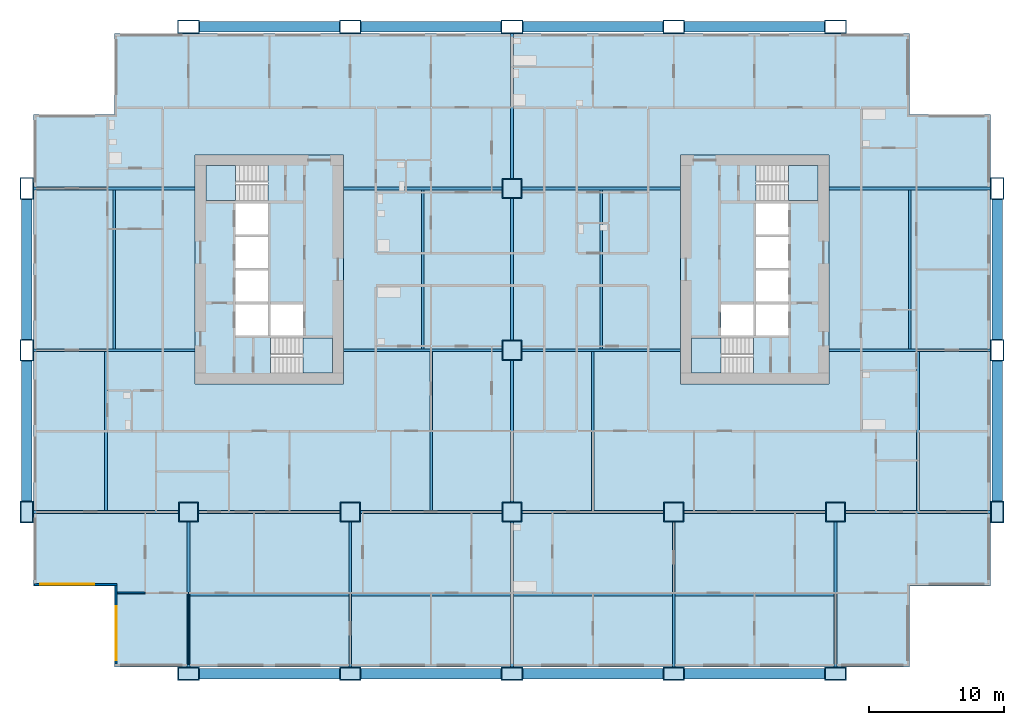
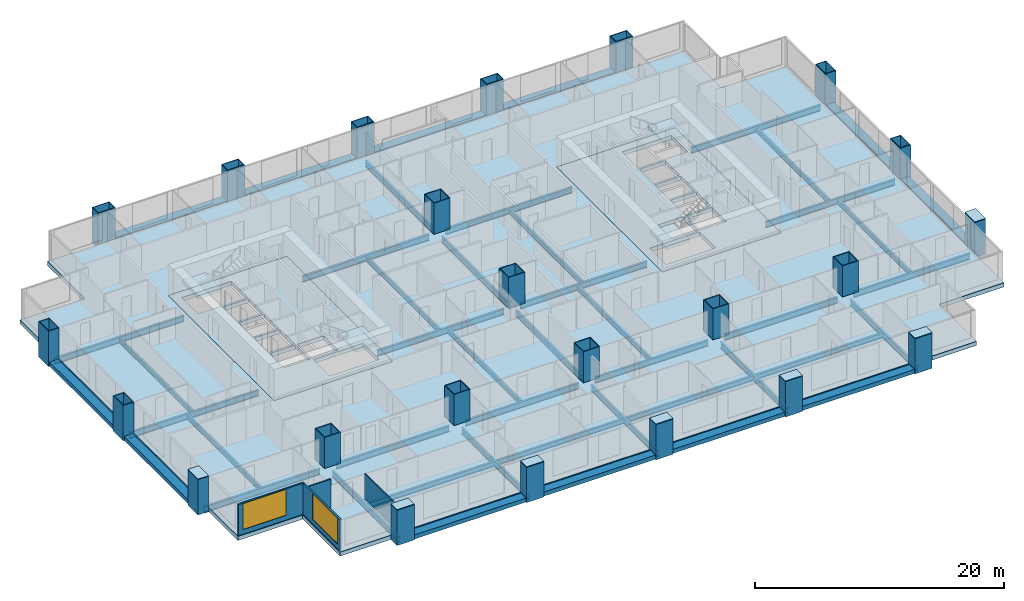
# One storey, part 1 of 13: 46 beams, 23 columns, 7 plates, 7 slabs, 4 walls, 2 windows, 2 openings, 4 elements without a shape of their own.
"""IFC4 building model written with IfcOpenShell, lengths in metres."""

from ifc_helpers import new_model, si_unit, direction, frame, frame_2d, origin, origin_2d, place, context, subcontext, project, spatial, polyline, rectangle, hollow_rectangle, i_section, outline, extrude, material, layer, layer_set, material_profile, profile_set, type_object, element, fill, aggregate, save


model = new_model("IFC4")

# Units and contexts
model_context = context("Model", 3, precision=1e-05, world=origin(), true_north=direction((0.0, 1.0)))
body_context = subcontext(model_context, "Body", "Model", "MODEL_VIEW")
ifc_project = project(units=[si_unit("LENGTHUNIT", "METRE"), si_unit("AREAUNIT", "SQUARE_METRE"), si_unit("VOLUMEUNIT", "CUBIC_METRE"), si_unit("PLANEANGLEUNIT", "RADIAN"), si_unit("MASSUNIT", "GRAM", prefix="KILO")], contexts=[model_context])

# Site, building, storey
site_placement = place(None, origin())
site = spatial("IfcSite", under=ifc_project, at=site_placement, CompositionType="ELEMENT")
building_placement = place(site_placement, origin())
building = spatial("IfcBuilding", under=site, at=building_placement, Name="Kitamizu Gate Tower and Museum", CompositionType="ELEMENT")
storey_placement = place(building_placement, frame((0.0, 0.0, 88.64990234375)))
storey = spatial("IfcBuildingStorey", under=building, at=storey_placement, Name="L22", CompositionType="ELEMENT", Elevation=88.64990234375)

# Columns
ifc_material_1 = material(Name="Steel SM490A bronze coated", Category="steel")
ifc_material_profile_1 = material_profile(ifc_material_1, hollow_rectangle(XDim=1.60009765625, YDim=1.0, WallThickness=0.06494140625, at=origin_2d()), Name="BOX 1600x1000x65")
ifc_profile_set_1 = profile_set([ifc_material_profile_1], Name="Steel SM490A bronze coated")
column_type_1 = type_object("IfcColumnType", Name="Exoskeleton column XC3 BOX 1600x1000x65", PredefinedType="COLUMN", material=ifc_profile_set_1)
for number, where, z_axis, x_axis, name in (
    (1, (0.0, 12.0, -0.39990234375), (0.0, 0.0, 1.0), (0.0, 1.0, 0.0), "Column XC3 1B L22"),
    (2, (0.0, 24.0, -0.39990234375), (0.0, 0.0, 1.0), (0.0, 1.0, 0.0), "Column XC3 1C L22"),
    (3, (0.0, 36.0, -0.39990234375), (0.0, 0.0, 1.0), (0.0, 1.0, 0.0), "Column XC3 1D L22"),
    (4, (12.0, 0.0, -0.39990234375), (0.0, 0.0, 1.0), (1.0, 0.0, 0.0), "Column XC3 2A L22"),
    (5, (12.0, 48.0, -0.39990234375), (0.0, 0.0, 1.0), (1.0, 0.0, 0.0), "Column XC3 2E L22"),
    (6, (24.0, 0.0, -0.39990234375), (0.0, 0.0, 1.0), (1.0, 0.0, 0.0), "Column XC3 3A L22"),
    (7, (24.0, 48.0, -0.39990234375), (0.0, 0.0, 1.0), (1.0, 0.0, 0.0), "Column XC3 3E L22"),
    (8, (36.0, 0.0, -0.39990234375), (0.0, 0.0, 1.0), (1.0, 0.0, 0.0), "Column XC3 4A L22"),
    (9, (36.0, 48.0, -0.39990234375), (0.0, 0.0, 1.0), (1.0, 0.0, 0.0), "Column XC3 4E L22"),
    (10, (48.0, 0.0, -0.39990234375), (0.0, 0.0, 1.0), (1.0, 0.0, 0.0), "Column XC3 5A L22"),
    (11, (48.0, 48.0, -0.39990234375), (0.0, 0.0, 1.0), (1.0, 0.0, 0.0), "Column XC3 5E L22"),
    (12, (60.0, 0.0, -0.39990234375), (0.0, 0.0, 1.0), (1.0, 0.0, 0.0), "Column XC3 6A L22"),
    (13, (60.0, 48.0, -0.39990234375), (0.0, 0.0, 1.0), (1.0, 0.0, 0.0), "Column XC3 6E L22"),
    (14, (72.0, 12.0, -0.39990234375), (0.0, 0.0, 1.0), (0.0, 1.0, 0.0), "Column XC3 7B L22"),
    (15, (72.0, 24.0, -0.39990234375), (0.0, 0.0, 1.0), (0.0, 1.0, 0.0), "Column XC3 7C L22"),
    (16, (72.0, 36.0, -0.39990234375), (0.0, 0.0, 1.0), (0.0, 1.0, 0.0), "Column XC3 7D L22"),
):
    element("IfcColumn", number, at=place(storey_placement, frame(where, z_axis=z_axis, x_axis=x_axis)), inside=storey, type_object=column_type_1, Name=name, PredefinedType="COLUMN", context=body_context, shape_type="SweptSolid", body=[
        extrude(hollow_rectangle(XDim=1.60009765625, YDim=1.0, WallThickness=0.06494140625, at=origin_2d()), origin(), (0.0, 0.0, 1.0), 3.449951171875),
    ])
ifc_material_2 = material(Name="Steel SM490A", Category="steel")
ifc_material_profile_2 = material_profile(ifc_material_2, hollow_rectangle(XDim=1.5, YDim=1.5, WallThickness=0.06494140625, at=origin_2d()), Name="BOX 1500x1500x65")
ifc_profile_set_2 = profile_set([ifc_material_profile_2], Name="Steel SM490A")
column_type_2 = type_object("IfcColumnType", Name="Interior column IC2 BOX 1500x1500x65", PredefinedType="COLUMN", material=ifc_profile_set_2)
for number, where, z_axis, x_axis, name in (
    (17, (12.0, 12.0, 0.0), (0.0, 0.0, 1.0), (1.0, 0.0, 0.0), "Column IC2 2B L22"),
    (18, (24.0, 12.0, 0.0), (0.0, 0.0, 1.0), (1.0, 0.0, 0.0), "Column IC2 3B L22"),
    (19, (36.0, 12.0, 0.0), (0.0, 0.0, 1.0), (1.0, 0.0, 0.0), "Column IC2 4B L22"),
    (20, (36.0, 24.0, 0.0), (0.0, 0.0, 1.0), (1.0, 0.0, 0.0), "Column IC2 4C L22"),
    (21, (36.0, 36.0, 0.0), (0.0, 0.0, 1.0), (1.0, 0.0, 0.0), "Column IC2 4D L22"),
    (22, (48.0, 12.0, 0.0), (0.0, 0.0, 1.0), (1.0, 0.0, 0.0), "Column IC2 5B L22"),
    (23, (60.0, 12.0, 0.0), (0.0, 0.0, 1.0), (1.0, 0.0, 0.0), "Column IC2 6B L22"),
):
    element("IfcColumn", number, at=place(storey_placement, frame(where, z_axis=z_axis, x_axis=x_axis)), inside=storey, type_object=column_type_2, Name=name, PredefinedType="COLUMN", context=body_context, shape_type="SweptSolid", body=[
        extrude(hollow_rectangle(XDim=1.5, YDim=1.5, WallThickness=0.06494140625, at=origin_2d()), origin(), (0.0, 0.0, 1.0), 3.050048828125),
    ])

# Beams
ifc_material_3 = material(Name="Steel SM490A bronze coated", Category="steel")
ifc_material_profile_3 = material_profile(ifc_material_3, hollow_rectangle(XDim=0.800048828125, YDim=0.39990234375, WallThickness=0.0400390625, at=origin_2d()), Name="BOX 800x400x40")
ifc_profile_set_3 = profile_set([ifc_material_profile_3], Name="Steel SM490A bronze coated")
beam_type_1 = type_object("IfcBeamType", Name="Exoskeleton spandrel beam SB1 BOX 800x400x40", PredefinedType="SPANDREL", material=ifc_profile_set_3)
for number, where, z_axis, x_axis, name in (
    (24, (12.800048828125, 0.0, -0.199951171875), (1.0, 0.0, 0.0), (0.0, 1.0, 0.0), "Exoskeleton spandrel beam south 12 L22"),
    (25, (24.800048828125, 0.0, -0.199951171875), (1.0, 0.0, 0.0), (0.0, 1.0, 0.0), "Exoskeleton spandrel beam south 24 L22"),
    (26, (36.800048828125, 0.0, -0.199951171875), (1.0, 0.0, 0.0), (0.0, 1.0, 0.0), "Exoskeleton spandrel beam south 36 L22"),
    (27, (48.800048828125, 0.0, -0.199951171875), (1.0, 0.0, 0.0), (0.0, 1.0, 0.0), "Exoskeleton spandrel beam south 48 L22"),
    (28, (12.800048828125, 48.0, -0.199951171875), (1.0, 0.0, 0.0), (0.0, 1.0, 0.0), "Exoskeleton spandrel beam north 12 L22"),
    (29, (24.800048828125, 48.0, -0.199951171875), (1.0, 0.0, 0.0), (0.0, 1.0, 0.0), "Exoskeleton spandrel beam north 24 L22"),
    (30, (36.800048828125, 48.0, -0.199951171875), (1.0, 0.0, 0.0), (0.0, 1.0, 0.0), "Exoskeleton spandrel beam north 36 L22"),
    (31, (48.800048828125, 48.0, -0.199951171875), (1.0, 0.0, 0.0), (0.0, 1.0, 0.0), "Exoskeleton spandrel beam north 48 L22"),
    (32, (0.0, 12.800048828125, -0.199951171875), (0.0, 1.0, 0.0), (-1.0, 0.0, 0.0), "Exoskeleton spandrel beam west 12 L22"),
    (33, (0.0, 24.800048828125, -0.199951171875), (0.0, 1.0, 0.0), (-1.0, 0.0, 0.0), "Exoskeleton spandrel beam west 24 L22"),
    (34, (72.0, 12.800048828125, -0.199951171875), (0.0, 1.0, 0.0), (-1.0, 0.0, 0.0), "Exoskeleton spandrel beam east 12 L22"),
    (35, (72.0, 24.800048828125, -0.199951171875), (0.0, 1.0, 0.0), (-1.0, 0.0, 0.0), "Exoskeleton spandrel beam east 24 L22"),
):
    element("IfcBeam", number, at=place(storey_placement, frame(where, z_axis=z_axis, x_axis=x_axis)), inside=storey, type_object=beam_type_1, Name=name, PredefinedType="SPANDREL", context=body_context, shape_type="SweptSolid", body=[
        extrude(hollow_rectangle(XDim=0.800048828125, YDim=0.39990234375, WallThickness=0.0400390625, at=origin_2d()), origin(), (0.0, 0.0, 1.0), 10.39990234375),
    ])
ifc_material_4 = material(Name="Steel SM490A", Category="steel")
ifc_material_profile_4 = material_profile(ifc_material_4, i_section(OverallWidth=0.199951171875, OverallDepth=0.5, WebThickness=0.010009765625, FlangeThickness=0.01611328125, FilletRadius=0.02001953125, at=origin_2d()), Name="H-500x200x10x16")
ifc_profile_set_4 = profile_set([ifc_material_profile_4], Name="Steel SM490A")
beam_type_2 = type_object("IfcBeamType", Name="Floor beam FB1 H 500x200x10x16", PredefinedType="BEAM", material=ifc_profile_set_4)
for number, where, z_axis, x_axis, name in (
    (36, (12.10009765625, 5.875, -0.64990234375), (1.0, 0.0, 0.0), (0.0, 1.0, 0.0), "Floor beam FB1 L22-1"),
    (37, (24.10009765625, 5.875, -0.64990234375), (1.0, 0.0, 0.0), (0.0, 1.0, 0.0), "Floor beam FB1 L22-2"),
    (38, (36.10009765625, 5.875, -0.64990234375), (1.0, 0.0, 0.0), (0.0, 1.0, 0.0), "Floor beam FB1 L22-3"),
    (39, (48.10009765625, 5.875, -0.64990234375), (1.0, 0.0, 0.0), (0.0, 1.0, 0.0), "Floor beam FB1 L22-4"),
    (40, (5.875, 12.10009765625, -0.64990234375), (0.0, 1.0, 0.0), (-1.0, 0.0, 0.0), "Floor beam FB1 L22-5"),
    (41, (30.0, 12.10009765625, -0.64990234375), (0.0, 1.0, 0.0), (-1.0, 0.0, 0.0), "Floor beam FB1 L22-6"),
    (42, (42.0, 12.10009765625, -0.64990234375), (0.0, 1.0, 0.0), (-1.0, 0.0, 0.0), "Floor beam FB1 L22-7"),
    (43, (66.125, 12.10009765625, -0.64990234375), (0.0, 1.0, 0.0), (-1.0, 0.0, 0.0), "Floor beam FB1 L22-8"),
    (44, (6.5, 24.10009765625, -0.64990234375), (0.0, 1.0, 0.0), (-1.0, 0.0, 0.0), "Floor beam FB1 L22-9"),
    (45, (29.375, 24.10009765625, -0.64990234375), (0.0, 1.0, 0.0), (-1.0, 0.0, 0.0), "Floor beam FB1 L22-10"),
    (46, (42.625, 24.10009765625, -0.64990234375), (0.0, 1.0, 0.0), (-1.0, 0.0, 0.0), "Floor beam FB1 L22-11"),
    (47, (65.5, 24.10009765625, -0.64990234375), (0.0, 1.0, 0.0), (-1.0, 0.0, 0.0), "Floor beam FB1 L22-12"),
):
    element("IfcBeam", number, at=place(storey_placement, frame(where, z_axis=z_axis, x_axis=x_axis)), inside=storey, type_object=beam_type_2, Name=name, PredefinedType="BEAM", context=body_context, shape_type="SweptSolid", body=[
        extrude(i_section(OverallWidth=0.199951171875, OverallDepth=0.5, WebThickness=0.010009765625, FlangeThickness=0.01611328125, FilletRadius=0.02001953125, at=origin_2d()), origin(), (0.0, 0.0, 1.0), 11.7998046875),
    ])
ifc_material_5 = material(Name="Steel SM490A", Category="steel")
ifc_material_profile_5 = material_profile(ifc_material_5, i_section(OverallWidth=0.199951171875, OverallDepth=0.60009765625, WebThickness=0.010986328125, FlangeThickness=0.01708984375, FilletRadius=0.02197265625, at=origin_2d()), Name="H-600x200x11x17")
ifc_profile_set_5 = profile_set([ifc_material_profile_5], Name="Steel SM490A")
beam_type_3 = type_object("IfcBeamType", Name="Floor girder FG1 H 600x200x11x17", PredefinedType="BEAM", material=ifc_profile_set_5)
for number, where, z_axis, x_axis, name in (
    (48, (12.0, 0.5, -0.699951171875), (0.0, 1.0, 0.0), (-1.0, 0.0, 0.0), "Floor girder FG1 x12 L22"),
    (49, (24.0, 0.5, -0.699951171875), (0.0, 1.0, 0.0), (-1.0, 0.0, 0.0), "Floor girder FG1 x24 L22"),
    (50, (36.0, 0.5, -0.699951171875), (0.0, 1.0, 0.0), (-1.0, 0.0, 0.0), "Floor girder FG1 x36 L22"),
):
    element("IfcBeam", number, at=place(storey_placement, frame(where, z_axis=z_axis, x_axis=x_axis)), inside=storey, type_object=beam_type_3, Name=name, PredefinedType="BEAM", context=body_context, shape_type="SweptSolid", body=[
        extrude(i_section(OverallWidth=0.199951171875, OverallDepth=0.60009765625, WebThickness=0.010986328125, FlangeThickness=0.01708984375, FilletRadius=0.02197265625, at=origin_2d()), origin(), (0.0, 0.0, 1.0), 10.75),
    ])
for number, where, z_axis, x_axis, name in (
    (51, (36.0, 12.75, -0.699951171875), (0.0, 1.0, 0.0), (-1.0, 0.0, 0.0), "Floor girder FG1 x36 L22"),
    (52, (36.0, 24.75, -0.699951171875), (0.0, 1.0, 0.0), (-1.0, 0.0, 0.0), "Floor girder FG1 x36 L22"),
):
    element("IfcBeam", number, at=place(storey_placement, frame(where, z_axis=z_axis, x_axis=x_axis)), inside=storey, type_object=beam_type_3, Name=name, PredefinedType="BEAM", context=body_context, shape_type="SweptSolid", body=[
        extrude(i_section(OverallWidth=0.199951171875, OverallDepth=0.60009765625, WebThickness=0.010986328125, FlangeThickness=0.01708984375, FilletRadius=0.02197265625, at=origin_2d()), origin(), (0.0, 0.0, 1.0), 10.5),
    ])
for number, where, z_axis, x_axis, name in (
    (53, (36.0, 36.75, -0.699951171875), (0.0, 1.0, 0.0), (-1.0, 0.0, 0.0), "Floor girder FG1 x36 L22"),
    (54, (48.0, 0.5, -0.699951171875), (0.0, 1.0, 0.0), (-1.0, 0.0, 0.0), "Floor girder FG1 x48 L22"),
    (55, (60.0, 0.5, -0.699951171875), (0.0, 1.0, 0.0), (-1.0, 0.0, 0.0), "Floor girder FG1 x60 L22"),
    (56, (0.5, 12.0, -0.699951171875), (1.0, 0.0, 0.0), (0.0, 1.0, 0.0), "Floor girder FG1 y12 L22"),
):
    element("IfcBeam", number, at=place(storey_placement, frame(where, z_axis=z_axis, x_axis=x_axis)), inside=storey, type_object=beam_type_3, Name=name, PredefinedType="BEAM", context=body_context, shape_type="SweptSolid", body=[
        extrude(i_section(OverallWidth=0.199951171875, OverallDepth=0.60009765625, WebThickness=0.010986328125, FlangeThickness=0.01708984375, FilletRadius=0.02197265625, at=origin_2d()), origin(), (0.0, 0.0, 1.0), 10.75),
    ])
for number, where, z_axis, x_axis, name in (
    (57, (12.75, 12.0, -0.699951171875), (1.0, 0.0, 0.0), (0.0, 1.0, 0.0), "Floor girder FG1 y12 L22"),
    (58, (24.75, 12.0, -0.699951171875), (1.0, 0.0, 0.0), (0.0, 1.0, 0.0), "Floor girder FG1 y12 L22"),
    (59, (36.75, 12.0, -0.699951171875), (1.0, 0.0, 0.0), (0.0, 1.0, 0.0), "Floor girder FG1 y12 L22"),
    (60, (48.75, 12.0, -0.699951171875), (1.0, 0.0, 0.0), (0.0, 1.0, 0.0), "Floor girder FG1 y12 L22"),
):
    element("IfcBeam", number, at=place(storey_placement, frame(where, z_axis=z_axis, x_axis=x_axis)), inside=storey, type_object=beam_type_3, Name=name, PredefinedType="BEAM", context=body_context, shape_type="SweptSolid", body=[
        extrude(i_section(OverallWidth=0.199951171875, OverallDepth=0.60009765625, WebThickness=0.010986328125, FlangeThickness=0.01708984375, FilletRadius=0.02197265625, at=origin_2d()), origin(), (0.0, 0.0, 1.0), 10.5),
    ])
beam_1_placement = place(storey_placement, frame((60.75, 12.0, -0.699951171875), z_axis=(1.0, 0.0, 0.0), x_axis=(0.0, 1.0, 0.0)))
element("IfcBeam", 61, at=beam_1_placement, inside=storey, type_object=beam_type_3, Name="Floor girder FG1 y12 L22", PredefinedType="BEAM", context=body_context, shape_type="SweptSolid", body=[
    extrude(i_section(OverallWidth=0.199951171875, OverallDepth=0.60009765625, WebThickness=0.010986328125, FlangeThickness=0.01708984375, FilletRadius=0.02197265625, at=origin_2d()), origin(), (0.0, 0.0, 1.0), 10.75),
])
beam_2_placement = place(storey_placement, frame((0.5, 24.0, -0.699951171875), z_axis=(1.0, 0.0, 0.0), x_axis=(0.0, 1.0, 0.0)))
element("IfcBeam", 62, at=beam_2_placement, inside=storey, type_object=beam_type_3, Name="Floor girder FG1 y24 L22", PredefinedType="BEAM", context=body_context, shape_type="SweptSolid", body=[
    extrude(i_section(OverallWidth=0.199951171875, OverallDepth=0.60009765625, WebThickness=0.010986328125, FlangeThickness=0.01708984375, FilletRadius=0.02197265625, at=origin_2d()), origin(), (0.0, 0.0, 1.0), 12.0),
])
for number, where, z_axis, x_axis, name in (
    (63, (23.5, 24.0, -0.699951171875), (1.0, 0.0, 0.0), (0.0, 1.0, 0.0), "Floor girder FG1 y24 L22"),
    (64, (36.75, 24.0, -0.699951171875), (1.0, 0.0, 0.0), (0.0, 1.0, 0.0), "Floor girder FG1 y24 L22"),
):
    element("IfcBeam", number, at=place(storey_placement, frame(where, z_axis=z_axis, x_axis=x_axis)), inside=storey, type_object=beam_type_3, Name=name, PredefinedType="BEAM", context=body_context, shape_type="SweptSolid", body=[
        extrude(i_section(OverallWidth=0.199951171875, OverallDepth=0.60009765625, WebThickness=0.010986328125, FlangeThickness=0.01708984375, FilletRadius=0.02197265625, at=origin_2d()), origin(), (0.0, 0.0, 1.0), 11.75),
    ])
for number, where, z_axis, x_axis, name in (
    (65, (59.5, 24.0, -0.699951171875), (1.0, 0.0, 0.0), (0.0, 1.0, 0.0), "Floor girder FG1 y24 L22"),
    (66, (0.5, 36.0, -0.699951171875), (1.0, 0.0, 0.0), (0.0, 1.0, 0.0), "Floor girder FG1 y36 L22"),
):
    element("IfcBeam", number, at=place(storey_placement, frame(where, z_axis=z_axis, x_axis=x_axis)), inside=storey, type_object=beam_type_3, Name=name, PredefinedType="BEAM", context=body_context, shape_type="SweptSolid", body=[
        extrude(i_section(OverallWidth=0.199951171875, OverallDepth=0.60009765625, WebThickness=0.010986328125, FlangeThickness=0.01708984375, FilletRadius=0.02197265625, at=origin_2d()), origin(), (0.0, 0.0, 1.0), 12.0),
    ])
for number, where, z_axis, x_axis, name in (
    (67, (23.5, 36.0, -0.699951171875), (1.0, 0.0, 0.0), (0.0, 1.0, 0.0), "Floor girder FG1 y36 L22"),
    (68, (36.75, 36.0, -0.699951171875), (1.0, 0.0, 0.0), (0.0, 1.0, 0.0), "Floor girder FG1 y36 L22"),
):
    element("IfcBeam", number, at=place(storey_placement, frame(where, z_axis=z_axis, x_axis=x_axis)), inside=storey, type_object=beam_type_3, Name=name, PredefinedType="BEAM", context=body_context, shape_type="SweptSolid", body=[
        extrude(i_section(OverallWidth=0.199951171875, OverallDepth=0.60009765625, WebThickness=0.010986328125, FlangeThickness=0.01708984375, FilletRadius=0.02197265625, at=origin_2d()), origin(), (0.0, 0.0, 1.0), 11.75),
    ])
beam_3_placement = place(storey_placement, frame((59.5, 36.0, -0.699951171875), z_axis=(1.0, 0.0, 0.0), x_axis=(0.0, 1.0, 0.0)))
element("IfcBeam", 69, at=beam_3_placement, inside=storey, type_object=beam_type_3, Name="Floor girder FG1 y36 L22", PredefinedType="BEAM", context=body_context, shape_type="SweptSolid", body=[
    extrude(i_section(OverallWidth=0.199951171875, OverallDepth=0.60009765625, WebThickness=0.010986328125, FlangeThickness=0.01708984375, FilletRadius=0.02197265625, at=origin_2d()), origin(), (0.0, 0.0, 1.0), 12.0),
])

# Slabs
ifc_material_6 = material(Name="Concrete Fc36", Category="concrete")
ifc_layer_1 = layer(ifc_material_6, 0.39990234375)
ifc_layer_set_1 = layer_set([ifc_layer_1], Name="Concrete Fc36")
slab_type_1 = type_object("IfcSlabType", Name="Core floor slab 400", PredefinedType="FLOOR", material=ifc_layer_set_1)
slab_1_placement = place(storey_placement, frame((0.0, 0.0, -0.39990234375)))
element("IfcSlab", 70, at=slab_1_placement, inside=storey, type_object=slab_type_1, Name="Core floor slab W", PredefinedType="FLOOR", context=body_context, shape_type="SweptSolid", body=[
    extrude(outline(polyline([(12.5, 21.5), (23.5, 21.5), (23.5, 38.5), (12.5, 38.5), (12.5, 21.5)]), holes=[polyline([(15.5, 25.10009765625), (17.89990234375, 25.10009765625), (17.89990234375, 27.39990234375), (15.5, 27.39990234375), (15.5, 25.10009765625)]), polyline([(15.5, 27.60009765625), (17.89990234375, 27.60009765625), (17.89990234375, 29.89990234375), (15.5, 29.89990234375), (15.5, 27.60009765625)]), polyline([(15.5, 30.10009765625), (17.89990234375, 30.10009765625), (17.89990234375, 32.39990234375), (15.5, 32.39990234375), (15.5, 30.10009765625)]), polyline([(15.5, 32.60009765625), (17.89990234375, 32.60009765625), (17.89990234375, 34.89990234375), (15.5, 34.89990234375), (15.5, 32.60009765625)]), polyline([(18.10009765625, 25.10009765625), (20.5, 25.10009765625), (20.5, 27.39990234375), (18.10009765625, 27.39990234375), (18.10009765625, 25.10009765625)]), polyline([(18.1005859375, 22.300048828125), (22.699951171875, 22.300048828125), (22.699951171875, 24.89990234375), (18.1005859375, 24.89990234375), (18.1005859375, 22.300048828125)]), polyline([(13.300048828125, 35.10009765625), (17.8994140625, 35.10009765625), (17.8994140625, 37.699951171875), (13.300048828125, 37.699951171875), (13.300048828125, 35.10009765625)])]), origin(), (0.0, 0.0, 1.0), 0.39990234375),
])
slab_2_placement = place(storey_placement, frame((0.0, 0.0, -0.39990234375)))
element("IfcSlab", 71, at=slab_2_placement, inside=storey, type_object=slab_type_1, Name="Core floor slab E", PredefinedType="FLOOR", context=body_context, shape_type="SweptSolid", body=[
    extrude(outline(polyline([(48.5, 21.5), (59.5, 21.5), (59.5, 38.5), (48.5, 38.5), (48.5, 21.5)]), holes=[polyline([(54.10009765625, 25.10009765625), (56.5, 25.10009765625), (56.5, 27.39990234375), (54.10009765625, 27.39990234375), (54.10009765625, 25.10009765625)]), polyline([(54.10009765625, 27.60009765625), (56.5, 27.60009765625), (56.5, 29.89990234375), (54.10009765625, 29.89990234375), (54.10009765625, 27.60009765625)]), polyline([(54.10009765625, 30.10009765625), (56.5, 30.10009765625), (56.5, 32.39990234375), (54.10009765625, 32.39990234375), (54.10009765625, 30.10009765625)]), polyline([(54.10009765625, 32.60009765625), (56.5, 32.60009765625), (56.5, 34.89990234375), (54.10009765625, 34.89990234375), (54.10009765625, 32.60009765625)]), polyline([(51.5, 25.10009765625), (53.89990234375, 25.10009765625), (53.89990234375, 27.39990234375), (51.5, 27.39990234375), (51.5, 25.10009765625)]), polyline([(49.300048828125, 22.300048828125), (53.8994140625, 22.300048828125), (53.8994140625, 24.89990234375), (49.300048828125, 24.89990234375), (49.300048828125, 22.300048828125)]), polyline([(54.1005859375, 35.10009765625), (58.699951171875, 35.10009765625), (58.699951171875, 37.699951171875), (54.1005859375, 37.699951171875), (54.1005859375, 35.10009765625)])]), origin(), (0.0, 0.0, 1.0), 0.39990234375),
])

# Plates
ifc_material_7 = material(Name="Steel SM490A bronze coated", Category="steel")
ifc_layer_2 = layer(ifc_material_7, 0.06494140625)
ifc_layer_set_2 = layer_set([ifc_layer_2], Name="Steel SM490A bronze coated")
plate_type = type_object("IfcPlateType", Name="Exoskeleton column cap plate XC3 65", PredefinedType="USERDEFINED", material=ifc_layer_set_2)
for number, where, z_axis, x_axis, name in (
    (72, (0.0, 12.0, 3.050048828125), (0.0, 0.0, 1.0), (0.0, 1.0, 0.0), "Exoskeleton column cap plate XC3 1B L22"),
    (73, (12.0, 0.0, 3.050048828125), (0.0, 0.0, 1.0), (1.0, 0.0, 0.0), "Exoskeleton column cap plate XC3 2A L22"),
    (74, (24.0, 0.0, 3.050048828125), (0.0, 0.0, 1.0), (1.0, 0.0, 0.0), "Exoskeleton column cap plate XC3 3A L22"),
    (75, (36.0, 0.0, 3.050048828125), (0.0, 0.0, 1.0), (1.0, 0.0, 0.0), "Exoskeleton column cap plate XC3 4A L22"),
    (76, (48.0, 0.0, 3.050048828125), (0.0, 0.0, 1.0), (1.0, 0.0, 0.0), "Exoskeleton column cap plate XC3 5A L22"),
    (77, (60.0, 0.0, 3.050048828125), (0.0, 0.0, 1.0), (1.0, 0.0, 0.0), "Exoskeleton column cap plate XC3 6A L22"),
    (78, (72.0, 12.0, 3.050048828125), (0.0, 0.0, 1.0), (0.0, 1.0, 0.0), "Exoskeleton column cap plate XC3 7B L22"),
):
    element("IfcPlate", number, at=place(storey_placement, frame(where, z_axis=z_axis, x_axis=x_axis)), inside=storey, type_object=plate_type, Name=name, ObjectType="COLUMN CAP PLATE", PredefinedType="USERDEFINED", context=body_context, shape_type="SweptSolid", body=[
        extrude(rectangle(XDim=1.60009765625, YDim=1.0, at=origin_2d()), origin(), (0.0, 0.0, 1.0), 0.06494140625),
    ])

# Slab
ifc_material_8 = material(Name="Concrete Fc36", Category="concrete")
ifc_layer_3 = layer(ifc_material_8, 0.39990234375)
ifc_layer_set_3 = layer_set([ifc_layer_3], Name="Concrete Fc36")
slab_type_2 = type_object("IfcSlabType", Name="Post tensioned flat slab 400", PredefinedType="FLOOR", material=ifc_layer_set_3)
slab_3_placement = place(storey_placement, frame((0.0, 0.0, -0.39990234375)))
element("IfcSlab", 79, at=slab_3_placement, inside=storey, type_object=slab_type_2, Name="Floor slab L22-1", PredefinedType="FLOOR", context=body_context, shape_type="SweptSolid", body=[
    extrude(outline(polyline([(0.5, 6.5), (0.5, 41.5), (6.5, 41.5), (6.5, 47.5), (65.5, 47.5), (65.5, 41.5), (71.5, 41.5), (71.5, 6.5), (65.5, 6.5), (65.5, 0.5), (6.5, 0.5), (6.5, 6.5), (0.5, 6.5)]), holes=[polyline([(59.5, 38.5), (48.5, 38.5), (48.5, 21.5), (59.5, 21.5), (59.5, 38.5)]), polyline([(12.5, 38.5), (12.5, 21.5), (23.5, 21.5), (23.5, 38.5), (12.5, 38.5)])]), origin(), (0.0, 0.0, 1.0), 0.39990234375),
])

# Stair, slab
ifc_material_9 = material(Name="Concrete Fc42", Category="concrete")
stair_type = type_object("IfcStairType", Name="Exit stair 1200 wide 192 rise 300 going", PredefinedType="HALF_TURN_STAIR", material=ifc_material_9)
stair_1_placement = place(storey_placement, origin())
stair_1 = element("IfcStair", 80, at=stair_1_placement, inside=storey, type_object=stair_type, Name="Exit stair ST1", PredefinedType="HALF_TURN_STAIR")
ifc_material_10 = material(Name="Concrete Fc42", Category="concrete")
ifc_layer_4 = layer(ifc_material_10, 0.300048828125)
ifc_layer_set_4 = layer_set([ifc_layer_4], Name="Concrete Fc42")
slab_type_3 = type_object("IfcSlabType", Name="Stair landing 300", PredefinedType="LANDING", material=ifc_layer_set_4)
slab_4_placement = place(storey_placement, frame((0.0, 0.0, 1.425048828125)))
slab_4 = element("IfcSlab", 81, at=slab_4_placement, type_object=slab_type_3, Name="ST1 landing 1", PredefinedType="LANDING", context=body_context, shape_type="SweptSolid", body=[
    extrude(outline(polyline([(20.5, 22.300048828125), (22.699951171875, 22.300048828125), (22.699951171875, 24.89990234375), (20.5, 24.89990234375), (20.5, 22.300048828125)])), origin(), (0.0, 0.0, 1.0), 0.300048828125),
])
aggregate(stair_1, [slab_4])

stair_2_placement = place(storey_placement, origin())
stair_2 = element("IfcStair", 82, at=stair_2_placement, inside=storey, type_object=stair_type, Name="Exit stair ST2", PredefinedType="HALF_TURN_STAIR")
slab_5_placement = place(storey_placement, frame((0.0, 0.0, 1.425048828125)))
slab_5 = element("IfcSlab", 83, at=slab_5_placement, type_object=slab_type_3, Name="ST2 landing 1", PredefinedType="LANDING", context=body_context, shape_type="SweptSolid", body=[
    extrude(outline(polyline([(13.300048828125, 35.10009765625), (15.5, 35.10009765625), (15.5, 37.699951171875), (13.300048828125, 37.699951171875), (13.300048828125, 35.10009765625)])), origin(), (0.0, 0.0, 1.0), 0.300048828125),
])
aggregate(stair_2, [slab_5])

stair_3_placement = place(storey_placement, origin())
stair_3 = element("IfcStair", 84, at=stair_3_placement, inside=storey, type_object=stair_type, Name="Exit stair ST3", PredefinedType="HALF_TURN_STAIR")
slab_6_placement = place(storey_placement, frame((0.0, 0.0, 1.425048828125)))
slab_6 = element("IfcSlab", 85, at=slab_6_placement, type_object=slab_type_3, Name="ST3 landing 1", PredefinedType="LANDING", context=body_context, shape_type="SweptSolid", body=[
    extrude(outline(polyline([(49.300048828125, 22.300048828125), (51.5, 22.300048828125), (51.5, 24.89990234375), (49.300048828125, 24.89990234375), (49.300048828125, 22.300048828125)])), origin(), (0.0, 0.0, 1.0), 0.300048828125),
])
aggregate(stair_3, [slab_6])

stair_4_placement = place(storey_placement, origin())
stair_4 = element("IfcStair", 86, at=stair_4_placement, inside=storey, type_object=stair_type, Name="Exit stair ST4", PredefinedType="HALF_TURN_STAIR")
slab_7_placement = place(storey_placement, frame((0.0, 0.0, 1.425048828125)))
slab_7 = element("IfcSlab", 87, at=slab_7_placement, type_object=slab_type_3, Name="ST4 landing 1", PredefinedType="LANDING", context=body_context, shape_type="SweptSolid", body=[
    extrude(outline(polyline([(56.5, 35.10009765625), (58.699951171875, 35.10009765625), (58.699951171875, 37.699951171875), (56.5, 37.699951171875), (56.5, 35.10009765625)])), origin(), (0.0, 0.0, 1.0), 0.300048828125),
])
aggregate(stair_4, [slab_7])

# Walls
ifc_material_11 = material(Name="Gypsum board on galvanised stud")
ifc_layer_5 = layer(ifc_material_11, 0.10009765625)
ifc_layer_set_5 = layer_set([ifc_layer_5], Name="Gypsum board on galvanised stud")
wall_type_1 = type_object("IfcWallType", Name="Partition 100 NOT RATED", PredefinedType="PARTITIONING", material=ifc_layer_set_5)
wall_1_placement = place(storey_placement, frame((12.0, 0.719970703125, 0.0), z_axis=(0.0, 0.0, 1.0), x_axis=(0.0, 1.0, 0.0)))
element("IfcWall", 88, at=wall_1_placement, inside=storey, type_object=wall_type_1, Name="Partition L22-001", PredefinedType="PARTITIONING", context=body_context, shape_type="SweptSolid", body=[
    extrude(rectangle(XDim=5.280029296875, YDim=0.10009765625, at=frame_2d((2.64013671875, 0.0))), origin(), (0.0, 0.0, 1.0), 2.4501953125),
])
wall_2_placement = place(storey_placement, frame((8.7900390625, 6.0, 0.0), z_axis=(0.0, 0.0, 1.0), x_axis=(-1.0, 0.0, 0.0)))
element("IfcWall", 89, at=wall_2_placement, inside=storey, type_object=wall_type_1, Name="Partition L22-002", PredefinedType="PARTITIONING", context=body_context, shape_type="SweptSolid", body=[
    extrude(rectangle(XDim=2.070068359375, YDim=0.10009765625, at=frame_2d((1.03515625, 0.0))), origin(), (0.0, 0.0, 1.0), 3.050048828125),
])

# Wall, opening, window
ifc_material_12 = material(Name="Bronze anodised aluminium frame with insulated spandrel and tinted glass", Category="aluminium")
ifc_layer_6 = layer(ifc_material_12, 0.14990234375)
ifc_layer_set_6 = layer_set([ifc_layer_6], Name="Bronze anodised aluminium frame with insulated spandrel and tinted glass")
wall_type_2 = type_object("IfcWallType", Name="WINDOW WALL 150 BRONZE FRAME EI 30", PredefinedType="ELEMENTEDWALL", material=ifc_layer_set_6)
wall_3_placement = place(storey_placement, frame((0.56005859375, 6.635009765625, 0.0), z_axis=(0.0, 0.0, 1.0), x_axis=(1.0, 0.0, 0.0)))
wall_3 = element("IfcWall", 90, at=wall_3_placement, inside=storey, type_object=wall_type_2, Name="Window wall south L22", PredefinedType="ELEMENTEDWALL", context=body_context, shape_type="SweptSolid", body=[
    extrude(rectangle(XDim=6.14990234375, YDim=0.14990234375, at=frame_2d((3.074951171875, 0.0))), origin(), (0.0, 0.0, 1.0), 3.050048828125),
])
opening_1_placement = place(wall_3_placement, frame((0.43994140625, 0.0, 0.449951171875)))
opening_1 = element("IfcOpeningElement", 91, at=opening_1_placement, cuts=wall_3, Name="Opening W16", PredefinedType="OPENING", context=body_context, shape_type="SweptSolid", body=[
    extrude(rectangle(XDim=4.0, YDim=2.550048828125, at=frame_2d((2.0, 1.27490234375))), frame((0.0, 0.0849609375, 0.0), z_axis=(0.0, -1.0, 0.0), x_axis=(1.0, 0.0, 0.0)), (0.0, 0.0, 1.0), 0.169921875),
])
ifc_material_13 = material(Name="Bronze anodised aluminium frame, tinted triple glazing", Category="aluminium")
window_type = type_object("IfcWindowType", Name="WINDOW 4000 x 2550 SILL 450", PartitioningType="SINGLE_PANEL", PredefinedType="WINDOW", material=ifc_material_13)
window_1_placement = place(opening_1_placement, origin())
window_1 = element("IfcWindow", 92, at=window_1_placement, inside=storey, type_object=window_type, Name="Window W16 L22", OverallHeight=2.550048828125, OverallWidth=4.0, PartitioningType="SINGLE_PANEL", PredefinedType="WINDOW", context=body_context, shape_type="SweptSolid", body=[
    extrude(rectangle(XDim=4.0, YDim=2.550048828125, at=frame_2d((2.0, 1.27490234375))), frame((0.0, 0.030029296875, 0.0), z_axis=(0.0, -1.0, 0.0), x_axis=(1.0, 0.0, 0.0)), (0.0, 0.0, 1.0), 0.06005859375),
])
fill(opening_1, window_1)

wall_4_placement = place(storey_placement, frame((6.635009765625, 0.7099609375, 0.0), z_axis=(0.0, 0.0, 1.0), x_axis=(0.0, 1.0, 0.0)))
wall_4 = element("IfcWall", 93, at=wall_4_placement, inside=storey, type_object=wall_type_2, Name="Window wall west L22", PredefinedType="ELEMENTEDWALL", context=body_context, shape_type="SweptSolid", body=[
    extrude(rectangle(XDim=5.85009765625, YDim=0.14990234375, at=frame_2d((2.925048828125, 0.0))), origin(), (0.0, 0.0, 1.0), 3.050048828125),
])
opening_2_placement = place(wall_4_placement, frame((0.2900390625, 0.0, 0.449951171875)))
opening_2 = element("IfcOpeningElement", 94, at=opening_2_placement, cuts=wall_4, Name="Opening W16", PredefinedType="OPENING", context=body_context, shape_type="SweptSolid", body=[
    extrude(rectangle(XDim=4.0, YDim=2.550048828125, at=frame_2d((2.0, 1.27490234375))), frame((0.0, 0.0849609375, 0.0), z_axis=(0.0, -1.0, 0.0), x_axis=(1.0, 0.0, 0.0)), (0.0, 0.0, 1.0), 0.169921875),
])
window_2_placement = place(opening_2_placement, origin())
window_2 = element("IfcWindow", 95, at=window_2_placement, inside=storey, type_object=window_type, Name="Window W16 L22", OverallHeight=2.550048828125, OverallWidth=4.0, PartitioningType="SINGLE_PANEL", PredefinedType="WINDOW", context=body_context, shape_type="SweptSolid", body=[
    extrude(rectangle(XDim=4.0, YDim=2.550048828125, at=frame_2d((2.0, 1.27490234375))), frame((0.0, 0.030029296875, 0.0), z_axis=(0.0, -1.0, 0.0), x_axis=(1.0, 0.0, 0.0)), (0.0, 0.0, 1.0), 0.06005859375),
])
fill(opening_2, window_2)

save(model, "model.ifc")
